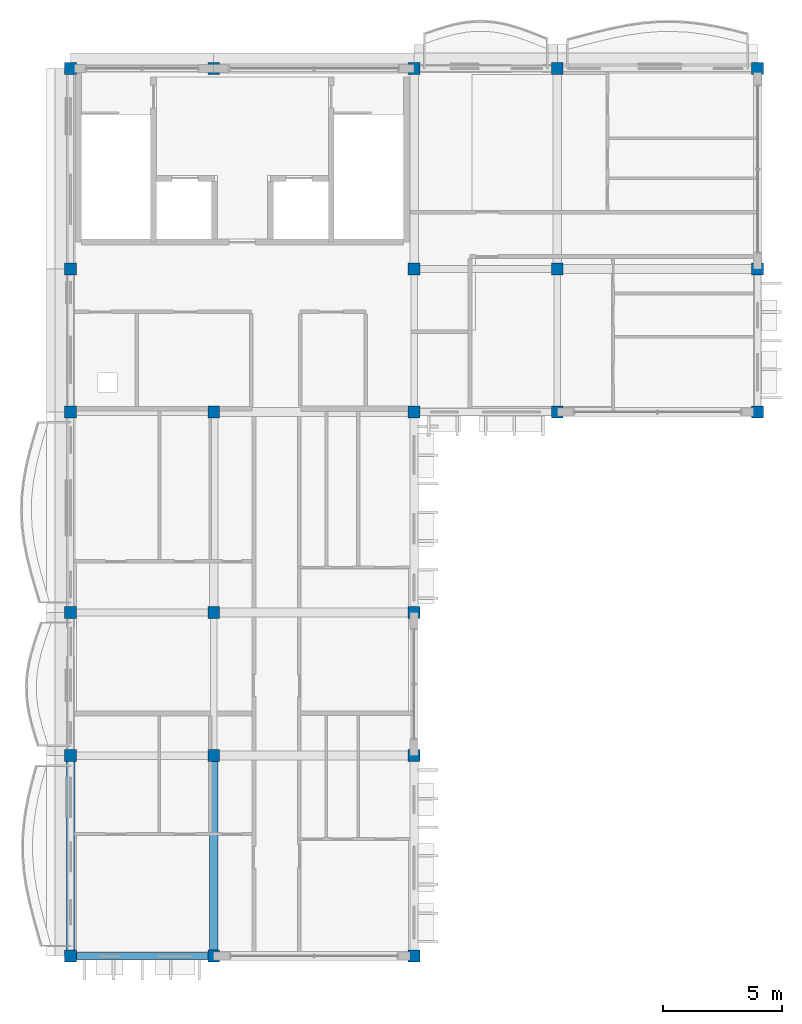
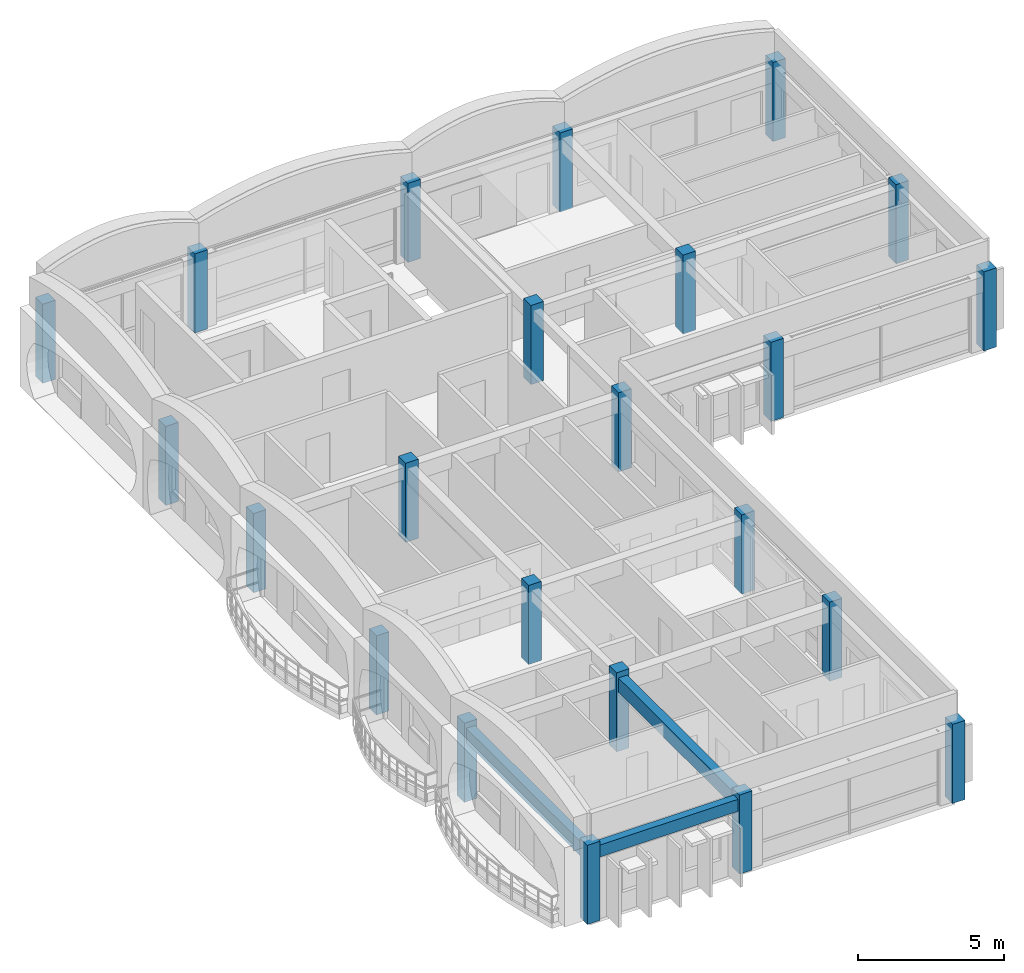
# One storey, part 1 of 12: 23 columns, 3 beams.
"""IFC4 building model written with IfcOpenShell, lengths in metres."""

from ifc_helpers import new_model, si_unit, direction, frame, origin, origin_2d, place, context, subcontext, project, spatial, rectangle, extrude, material, material_profile, profile_set, type_object, element, save


model = new_model("IFC4")

# Units and contexts
model_context = context("Model", 3, precision=1e-05, world=origin(), true_north=direction((0.0, 1.0)))
body_context = subcontext(model_context, "Body", "Model", "MODEL_VIEW")
ifc_project = project(units=[si_unit("LENGTHUNIT", "METRE"), si_unit("AREAUNIT", "SQUARE_METRE"), si_unit("VOLUMEUNIT", "CUBIC_METRE"), si_unit("PLANEANGLEUNIT", "RADIAN"), si_unit("MASSUNIT", "GRAM", prefix="KILO"), si_unit("THERMODYNAMICTEMPERATUREUNIT", "KELVIN")], contexts=[model_context])

# Site, building, storey
site_placement = place(None, origin())
site = spatial("IfcSite", under=ifc_project, at=site_placement, CompositionType="ELEMENT")
building_placement = place(site_placement, origin())
building = spatial("IfcBuilding", under=site, at=building_placement, Name="Thalorik Housing Commons", CompositionType="ELEMENT")
storey_placement = place(building_placement, frame((0.0, 0.0, 51.0)))
storey = spatial("IfcBuildingStorey", under=building, at=storey_placement, Name="L15", CompositionType="ELEMENT", Elevation=51.0)

# Columns
ifc_material = material(Name="Precast concrete C40/50", Category="concrete")
ifc_material_profile_1 = material_profile(ifc_material, rectangle(XDim=0.5, YDim=0.5, at=origin_2d()), Name="PC 500x500", Category="concrete")
ifc_profile_set_1 = profile_set([ifc_material_profile_1], Name="Precast concrete C40/50")
column_type = type_object("IfcColumnType", Name="STR-COL-PC500", PredefinedType="COLUMN", material=ifc_profile_set_1)
for number, where, z_axis, x_axis, name in (
    (1, (8.39990234375, 86.39990234375, 0.0), (0.0, 0.0, 1.0), (1.0, 0.0, 0.0), "L15 Column C-500"),
    (2, (8.39990234375, 94.800048828125, 0.0), (0.0, 0.0, 1.0), (1.0, 0.0, 0.0), "L15 Column C-500"),
    (3, (8.39990234375, 100.800048828125, 0.0), (0.0, 0.0, 1.0), (1.0, 0.0, 0.0), "L15 Column C-500"),
    (4, (8.39990234375, 109.199951171875, 0.0), (0.0, 0.0, 1.0), (1.0, 0.0, 0.0), "L15 Column C-500"),
    (5, (8.39990234375, 115.199951171875, 0.0), (0.0, 0.0, 1.0), (1.0, 0.0, 0.0), "L15 Column C-500"),
    (6, (8.39990234375, 123.60009765625, 0.0), (0.0, 0.0, 1.0), (1.0, 0.0, 0.0), "L15 Column C-500"),
    (7, (14.39990234375, 86.39990234375, 0.0), (0.0, 0.0, 1.0), (1.0, 0.0, 0.0), "L15 Column C-500"),
    (8, (14.39990234375, 94.800048828125, 0.0), (0.0, 0.0, 1.0), (1.0, 0.0, 0.0), "L15 Column C-500"),
    (9, (14.39990234375, 100.800048828125, 0.0), (0.0, 0.0, 1.0), (1.0, 0.0, 0.0), "L15 Column C-500"),
    (10, (14.39990234375, 109.199951171875, 0.0), (0.0, 0.0, 1.0), (1.0, 0.0, 0.0), "L15 Column C-500"),
    (11, (14.39990234375, 123.60009765625, 0.0), (0.0, 0.0, 1.0), (1.0, 0.0, 0.0), "L15 Column C-500"),
    (12, (22.800048828125, 86.39990234375, 0.0), (0.0, 0.0, 1.0), (1.0, 0.0, 0.0), "L15 Column C-500"),
    (13, (22.800048828125, 94.800048828125, 0.0), (0.0, 0.0, 1.0), (1.0, 0.0, 0.0), "L15 Column C-500"),
    (14, (22.800048828125, 100.800048828125, 0.0), (0.0, 0.0, 1.0), (1.0, 0.0, 0.0), "L15 Column C-500"),
    (15, (22.800048828125, 109.199951171875, 0.0), (0.0, 0.0, 1.0), (1.0, 0.0, 0.0), "L15 Column C-500"),
    (16, (22.800048828125, 115.199951171875, 0.0), (0.0, 0.0, 1.0), (1.0, 0.0, 0.0), "L15 Column C-500"),
    (17, (22.800048828125, 123.60009765625, 0.0), (0.0, 0.0, 1.0), (1.0, 0.0, 0.0), "L15 Column C-500"),
    (18, (28.800048828125, 109.199951171875, 0.0), (0.0, 0.0, 1.0), (1.0, 0.0, 0.0), "L15 Column C-500"),
    (19, (28.800048828125, 115.199951171875, 0.0), (0.0, 0.0, 1.0), (1.0, 0.0, 0.0), "L15 Column C-500"),
    (20, (28.800048828125, 123.60009765625, 0.0), (0.0, 0.0, 1.0), (1.0, 0.0, 0.0), "L15 Column C-500"),
    (21, (37.199951171875, 109.199951171875, 0.0), (0.0, 0.0, 1.0), (1.0, 0.0, 0.0), "L15 Column C-500"),
    (22, (37.199951171875, 115.199951171875, 0.0), (0.0, 0.0, 1.0), (1.0, 0.0, 0.0), "L15 Column C-500"),
    (23, (37.199951171875, 123.60009765625, 0.0), (0.0, 0.0, 1.0), (1.0, 0.0, 0.0), "L15 Column C-500"),
):
    element("IfcColumn", number, at=place(storey_placement, frame(where, z_axis=z_axis, x_axis=x_axis)), inside=storey, type_object=column_type, Name=name, PredefinedType="COLUMN", context=body_context, shape_type="SweptSolid", body=[
        extrude(rectangle(XDim=0.5, YDim=0.5, at=origin_2d()), origin(), (0.0, 0.0, 1.0), 3.300048828125),
    ])

# Beams
ifc_material_profile_2 = material_profile(ifc_material, rectangle(XDim=0.300048828125, YDim=0.5, at=origin_2d()), Name="PC 300x500", Category="concrete")
ifc_profile_set_2 = profile_set([ifc_material_profile_2], Name="Precast concrete C40/50")
beam_type_1 = type_object("IfcBeamType", Name="STR-BM-PC300x500", PredefinedType="BEAM", material=ifc_profile_set_2)
beam_placement = place(storey_placement, frame((8.60009765625, 86.39990234375, 2.81005859375), z_axis=(1.0, 0.0, 0.0), x_axis=(0.0, 1.0, 0.0)))
element("IfcBeam", 24, at=beam_placement, inside=storey, type_object=beam_type_1, Name="L15 Beam B-500", PredefinedType="BEAM", context=body_context, shape_type="SweptSolid", body=[
    extrude(rectangle(XDim=0.300048828125, YDim=0.5, at=origin_2d()), origin(), (0.0, 0.0, 1.0), 5.599853515625),
])
ifc_material_profile_3 = material_profile(ifc_material, rectangle(XDim=0.35009765625, YDim=0.60009765625, at=origin_2d()), Name="PC 350x600", Category="concrete")
ifc_profile_set_3 = profile_set([ifc_material_profile_3], Name="Precast concrete C40/50")
beam_type_2 = type_object("IfcBeamType", Name="STR-BM-PC350x600", PredefinedType="BEAM", material=ifc_profile_set_3)
for number, where, z_axis, x_axis, name in (
    (25, (8.39990234375, 86.60009765625, 2.760009765625), (0.0, 1.0, 0.0), (-1.0, 0.0, 0.0), "L15 Beam B-600"),
    (26, (14.39990234375, 86.60009765625, 2.760009765625), (0.0, 1.0, 0.0), (-1.0, 0.0, 0.0), "L15 Beam B-600"),
):
    element("IfcBeam", number, at=place(storey_placement, frame(where, z_axis=z_axis, x_axis=x_axis)), inside=storey, type_object=beam_type_2, Name=name, PredefinedType="BEAM", context=body_context, shape_type="SweptSolid", body=[
        extrude(rectangle(XDim=0.35009765625, YDim=0.60009765625, at=origin_2d()), origin(), (0.0, 0.0, 1.0), 8.0),
    ])

save(model, "model.ifc")
